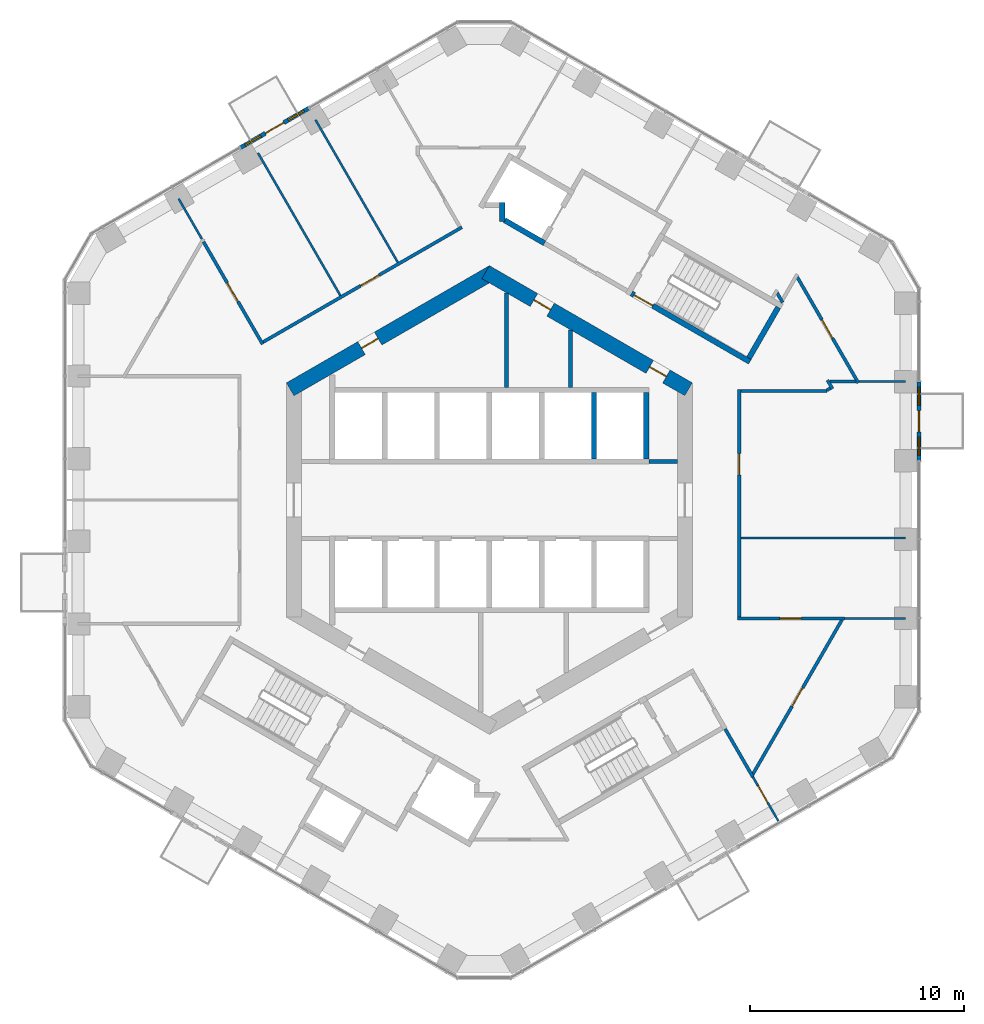
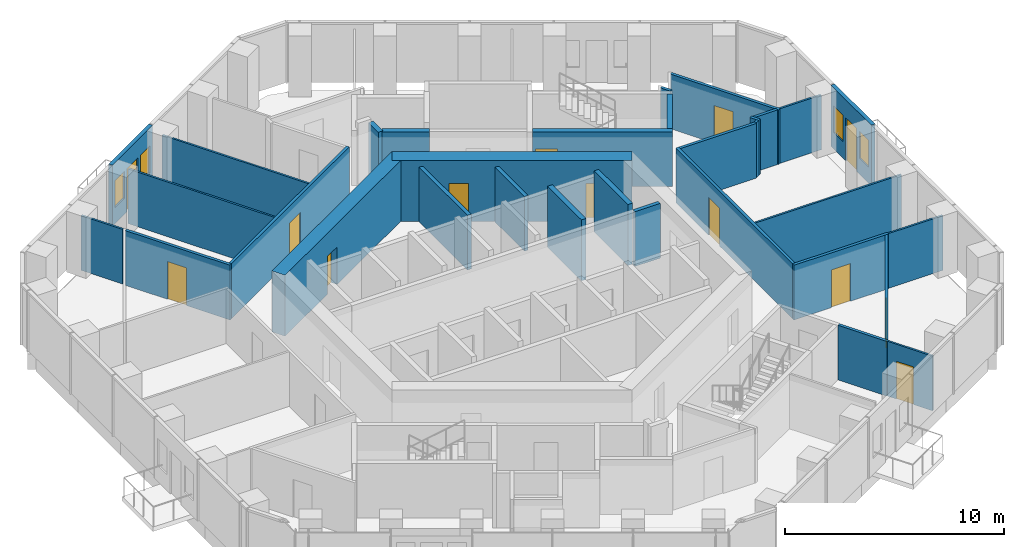
# One storey, part 15 of 20: 32 walls, 13 doors, 4 windows, 17 openings.
"""IFC4 building model written with IfcOpenShell, lengths in metres."""

from ifc_helpers import new_model, si_unit, direction, frame, frame_2d, origin, place, context, subcontext, project, spatial, rectangle, extrude, material, layer, layer_set, type_object, element, fill, save


model = new_model("IFC4")

# Units and contexts
model_context = context("Model", 3, precision=1e-05, world=origin(), true_north=direction((0.0, 1.0)))
body_context = subcontext(model_context, "Body", "Model", "MODEL_VIEW")
ifc_project = project(units=[si_unit("LENGTHUNIT", "METRE"), si_unit("AREAUNIT", "SQUARE_METRE"), si_unit("VOLUMEUNIT", "CUBIC_METRE"), si_unit("PLANEANGLEUNIT", "RADIAN"), si_unit("MASSUNIT", "GRAM", prefix="KILO")], contexts=[model_context])

# Site, building, storey
site_placement = place(None, origin())
site = spatial("IfcSite", under=ifc_project, at=site_placement, CompositionType="ELEMENT")
building_placement = place(site_placement, origin())
building = spatial("IfcBuilding", under=site, at=building_placement, Name="Ayvan Gate Tower", CompositionType="ELEMENT")
storey_placement = place(building_placement, frame((0.0, 0.0, 96.699951171875)))
storey = spatial("IfcBuildingStorey", under=building, at=storey_placement, Name="L25", CompositionType="ELEMENT", Elevation=96.699951171875)

# Wall, openings, door, windows
ifc_material_1 = material(Name="Insulated metal panel wall")
ifc_layer_1 = layer(ifc_material_1, 0.199951171875)
ifc_layer_set_1 = layer_set([ifc_layer_1], Name="Insulated metal panel wall")
wall_type_1 = type_object("IfcWallType", Name="Balcony door wall 200", PredefinedType="SOLIDWALL", material=ifc_layer_set_1)
wall_1_placement = place(storey_placement, frame((-8.4599609375, 18.33740234375, 0.0), z_axis=(0.0, 0.0, 1.0), x_axis=(-0.866020046725, -0.500009278584, 0.0)))
wall_1 = element("IfcWall", 1, at=wall_1_placement, inside=storey, type_object=wall_type_1, Name="EW:L25:2:2", PredefinedType="SOLIDWALL", context=body_context, shape_type="SweptSolid", body=[
    extrude(rectangle(XDim=3.68408203125, YDim=0.199951171875, at=frame_2d((1.842041015625, 0.0))), origin(), (0.0, 0.0, 1.0), 3.400146484375),
])
opening_1_placement = place(wall_1_placement, frame((1.342041015625, 0.0, 0.0)))
opening_1 = element("IfcOpeningElement", 2, at=opening_1_placement, cuts=wall_1, Name="Opening L25-D92", PredefinedType="OPENING", context=body_context, shape_type="SweptSolid", body=[
    extrude(rectangle(XDim=1.0, YDim=2.39990234375, at=frame_2d((0.5, 1.199951171875))), frame((0.0, 0.10986328125, 0.0), z_axis=(0.0, -1.0, 0.0), x_axis=(1.0, 0.0, 0.0)), (0.0, 0.0, 1.0), 0.219970703125),
])
opening_2_placement = place(wall_1_placement, frame((0.24609375, 0.0, 0.89990234375)))
opening_2 = element("IfcOpeningElement", 3, at=opening_2_placement, cuts=wall_1, Name="Opening W-B2", PredefinedType="OPENING", context=body_context, shape_type="SweptSolid", body=[
    extrude(rectangle(XDim=0.85009765625, YDim=1.5, at=frame_2d((0.425048828125, 0.75))), frame((0.0, 0.10986328125, 0.0), z_axis=(0.0, -1.0, 0.0), x_axis=(1.0, 0.0, 0.0)), (0.0, 0.0, 1.0), 0.219970703125),
])
opening_3_placement = place(wall_1_placement, frame((2.587890625, 0.0, 0.89990234375)))
opening_3 = element("IfcOpeningElement", 4, at=opening_3_placement, cuts=wall_1, Name="Opening W-B2", PredefinedType="OPENING", context=body_context, shape_type="SweptSolid", body=[
    extrude(rectangle(XDim=0.85009765625, YDim=1.5, at=frame_2d((0.425048828125, 0.75))), frame((0.0, 0.10986328125, 0.0), z_axis=(0.0, -1.0, 0.0), x_axis=(1.0, 0.0, 0.0)), (0.0, 0.0, 1.0), 0.219970703125),
])
ifc_material_2 = material(Name="Bronze anodised aluminium and clear glass", Category="aluminium")
door_type_1 = type_object("IfcDoorType", Name="Balcony door D-B", OperationType="SINGLE_SWING_RIGHT", PredefinedType="DOOR", material=ifc_material_2)
door_1_placement = place(opening_1_placement, origin())
door_1 = element("IfcDoor", 5, at=door_1_placement, inside=storey, type_object=door_type_1, Name="Balcony door BAL-L25-2", OperationType="SINGLE_SWING_RIGHT", OverallHeight=2.39990234375, OverallWidth=1.0, PredefinedType="DOOR", context=body_context, shape_type="SweptSolid", body=[
    extrude(rectangle(XDim=1.0, YDim=2.39990234375, at=frame_2d((0.5, 1.199951171875))), frame((0.0, 0.02490234375, 0.0), z_axis=(0.0, -1.0, 0.0), x_axis=(1.0, 0.0, 0.0)), (0.0, 0.0, 1.0), 0.050048828125),
])
fill(opening_1, door_1)
window_type = type_object("IfcWindowType", Name="Balcony side light W-B Z2", PartitioningType="SINGLE_PANEL", PredefinedType="WINDOW", material=ifc_material_2)
window_1_placement = place(opening_2_placement, origin())
window_1 = element("IfcWindow", 6, at=window_1_placement, inside=storey, type_object=window_type, Name="Balcony side light BAL-L25-2.1", OverallHeight=1.5, OverallWidth=0.85009765625, PartitioningType="SINGLE_PANEL", PredefinedType="WINDOW", context=body_context, shape_type="SweptSolid", body=[
    extrude(rectangle(XDim=0.85009765625, YDim=1.5, at=frame_2d((0.425048828125, 0.75))), frame((0.0, 0.030029296875, 0.0), z_axis=(0.0, -1.0, 0.0), x_axis=(1.0, 0.0, 0.0)), (0.0, 0.0, 1.0), 0.06005859375),
])
fill(opening_2, window_1)
window_2_placement = place(opening_3_placement, origin())
window_2 = element("IfcWindow", 7, at=window_2_placement, inside=storey, type_object=window_type, Name="Balcony side light BAL-L25-2.2", OverallHeight=1.5, OverallWidth=0.85009765625, PartitioningType="SINGLE_PANEL", PredefinedType="WINDOW", context=body_context, shape_type="SweptSolid", body=[
    extrude(rectangle(XDim=0.85009765625, YDim=1.5, at=frame_2d((0.425048828125, 0.75))), frame((0.0, 0.030029296875, 0.0), z_axis=(0.0, -1.0, 0.0), x_axis=(1.0, 0.0, 0.0)), (0.0, 0.0, 1.0), 0.06005859375),
])
fill(opening_3, window_2)

wall_2_placement = place(storey_placement, frame((20.110595703125, 1.841796875, 0.0), z_axis=(0.0, 0.0, 1.0), x_axis=(0.0, 1.0, 0.0)))
wall_2 = element("IfcWall", 8, at=wall_2_placement, inside=storey, type_object=wall_type_1, Name="EW:L25:0:3", PredefinedType="SOLIDWALL", context=body_context, shape_type="SweptSolid", body=[
    extrude(rectangle(XDim=3.68408203125, YDim=0.199951171875, at=frame_2d((1.842041015625, 0.0))), origin(), (0.0, 0.0, 1.0), 3.400146484375),
])
opening_4_placement = place(wall_2_placement, frame((1.342041015625, 0.0, 0.0)))
opening_4 = element("IfcOpeningElement", 9, at=opening_4_placement, cuts=wall_2, Name="Opening L25-D90", PredefinedType="OPENING", context=body_context, shape_type="SweptSolid", body=[
    extrude(rectangle(XDim=1.0, YDim=2.39990234375, at=frame_2d((0.5, 1.199951171875))), frame((0.0, 0.10986328125, 0.0), z_axis=(0.0, -1.0, 0.0), x_axis=(1.0, 0.0, 0.0)), (0.0, 0.0, 1.0), 0.219970703125),
])
opening_5_placement = place(wall_2_placement, frame((0.24609375, 0.0, 0.89990234375)))
opening_5 = element("IfcOpeningElement", 10, at=opening_5_placement, cuts=wall_2, Name="Opening W-B2", PredefinedType="OPENING", context=body_context, shape_type="SweptSolid", body=[
    extrude(rectangle(XDim=0.85009765625, YDim=1.5, at=frame_2d((0.425048828125, 0.75))), frame((0.0, 0.10986328125, 0.0), z_axis=(0.0, -1.0, 0.0), x_axis=(1.0, 0.0, 0.0)), (0.0, 0.0, 1.0), 0.219970703125),
])
opening_6_placement = place(wall_2_placement, frame((2.587890625, 0.0, 0.89990234375)))
opening_6 = element("IfcOpeningElement", 11, at=opening_6_placement, cuts=wall_2, Name="Opening W-B2", PredefinedType="OPENING", context=body_context, shape_type="SweptSolid", body=[
    extrude(rectangle(XDim=0.85009765625, YDim=1.5, at=frame_2d((0.425048828125, 0.75))), frame((0.0, 0.10986328125, 0.0), z_axis=(0.0, -1.0, 0.0), x_axis=(1.0, 0.0, 0.0)), (0.0, 0.0, 1.0), 0.219970703125),
])
door_2_placement = place(opening_4_placement, origin())
door_2 = element("IfcDoor", 12, at=door_2_placement, inside=storey, type_object=door_type_1, Name="Balcony door BAL-L25-0", OperationType="SINGLE_SWING_RIGHT", OverallHeight=2.39990234375, OverallWidth=1.0, PredefinedType="DOOR", context=body_context, shape_type="SweptSolid", body=[
    extrude(rectangle(XDim=1.0, YDim=2.39990234375, at=frame_2d((0.5, 1.199951171875))), frame((0.0, 0.02490234375, 0.0), z_axis=(0.0, -1.0, 0.0), x_axis=(1.0, 0.0, 0.0)), (0.0, 0.0, 1.0), 0.050048828125),
])
fill(opening_4, door_2)
window_3_placement = place(opening_5_placement, origin())
window_3 = element("IfcWindow", 13, at=window_3_placement, inside=storey, type_object=window_type, Name="Balcony side light BAL-L25-0.1", OverallHeight=1.5, OverallWidth=0.85009765625, PartitioningType="SINGLE_PANEL", PredefinedType="WINDOW", context=body_context, shape_type="SweptSolid", body=[
    extrude(rectangle(XDim=0.85009765625, YDim=1.5, at=frame_2d((0.425048828125, 0.75))), frame((0.0, 0.030029296875, 0.0), z_axis=(0.0, -1.0, 0.0), x_axis=(1.0, 0.0, 0.0)), (0.0, 0.0, 1.0), 0.06005859375),
])
fill(opening_5, window_3)
window_4_placement = place(opening_6_placement, origin())
window_4 = element("IfcWindow", 14, at=window_4_placement, inside=storey, type_object=window_type, Name="Balcony side light BAL-L25-0.2", OverallHeight=1.5, OverallWidth=0.85009765625, PartitioningType="SINGLE_PANEL", PredefinedType="WINDOW", context=body_context, shape_type="SweptSolid", body=[
    extrude(rectangle(XDim=0.85009765625, YDim=1.5, at=frame_2d((0.425048828125, 0.75))), frame((0.0, 0.030029296875, 0.0), z_axis=(0.0, -1.0, 0.0), x_axis=(1.0, 0.0, 0.0)), (0.0, 0.0, 1.0), 0.06005859375),
])
fill(opening_6, window_4)

# Wall, openings, doors
ifc_material_3 = material(Name="Concrete C70/85", Category="concrete")
ifc_layer_2 = layer(ifc_material_3, 0.699951171875)
ifc_layer_set_2 = layer_set([ifc_layer_2], Name="Concrete C70/85")
wall_type_2 = type_object("IfcWallType", Name="Core wall 700 C70/85", PredefinedType="SHEAR", material=ifc_layer_set_2)
wall_3_placement = place(storey_placement, frame((9.324951171875, 5.181640625, 0.0), z_axis=(0.0, 0.0, 1.0), x_axis=(-0.866023993627, 0.500002442456, 0.0)))
wall_3 = element("IfcWall", 15, at=wall_3_placement, inside=storey, type_object=wall_type_2, Name="CORE-L25-1", PredefinedType="SHEAR", context=body_context, shape_type="SweptSolid", body=[
    extrude(rectangle(XDim=10.9697265625, YDim=0.699951171875, at=frame_2d((5.48486328125, 0.0))), origin(), (0.0, 0.0, 1.0), 3.400146484375),
])
opening_7_placement = place(wall_3_placement, frame((7.460205078125, 0.0, 0.0)))
opening_7 = element("IfcOpeningElement", 16, at=opening_7_placement, cuts=wall_3, Name="Opening L25-D97", PredefinedType="OPENING", context=body_context, shape_type="SweptSolid", body=[
    extrude(rectangle(XDim=0.89990234375, YDim=2.10009765625, at=frame_2d((0.449951171875, 1.050048828125))), frame((0.0, 0.35986328125, 0.0), z_axis=(0.0, -1.0, 0.0), x_axis=(1.0, 0.0, 0.0)), (0.0, 0.0, 1.0), 0.719970703125),
])
opening_8_placement = place(wall_3_placement, frame((1.20068359375, 0.0, 0.0)))
opening_8 = element("IfcOpeningElement", 17, at=opening_8_placement, cuts=wall_3, Name="Opening L25-D98", PredefinedType="OPENING", context=body_context, shape_type="SweptSolid", body=[
    extrude(rectangle(XDim=0.89990234375, YDim=2.10009765625, at=frame_2d((0.449951171875, 1.050048828125))), frame((0.0, 0.35986328125, 0.0), z_axis=(0.0, -1.0, 0.0), x_axis=(1.0, 0.0, 0.0)), (0.0, 0.0, 1.0), 0.719970703125),
])
ifc_material_4 = material(Name="Timber door leaf", Category="wood")
door_type_2 = type_object("IfcDoorType", Name="DT-900", OperationType="NOTDEFINED", PredefinedType="DOOR", material=ifc_material_4)
door_3_placement = place(opening_7_placement, origin())
door_3 = element("IfcDoor", 18, at=door_3_placement, inside=storey, type_object=door_type_2, Name="CD-L25-97", OperationType="SINGLE_SWING_RIGHT", OverallHeight=2.10009765625, OverallWidth=0.89990234375, PredefinedType="DOOR", context=body_context, shape_type="SweptSolid", body=[
    extrude(rectangle(XDim=0.89990234375, YDim=2.10009765625, at=frame_2d((0.449951171875, 1.050048828125))), frame((0.0, 0.02490234375, 0.0), z_axis=(0.0, -1.0, 0.0), x_axis=(1.0, 0.0, 0.0)), (0.0, 0.0, 1.0), 0.050048828125),
])
fill(opening_7, door_3)
door_4_placement = place(opening_8_placement, origin())
door_4 = element("IfcDoor", 19, at=door_4_placement, inside=storey, type_object=door_type_2, Name="CD-L25-98", OperationType="SINGLE_SWING_LEFT", OverallHeight=2.10009765625, OverallWidth=0.89990234375, PredefinedType="DOOR", context=body_context, shape_type="SweptSolid", body=[
    extrude(rectangle(XDim=0.89990234375, YDim=2.10009765625, at=frame_2d((0.449951171875, 1.050048828125))), frame((0.0, 0.02490234375, 0.0), z_axis=(0.0, -1.0, 0.0), x_axis=(1.0, 0.0, 0.0)), (0.0, 0.0, 1.0), 0.050048828125),
])
fill(opening_8, door_4)

# Wall, opening, door
wall_4_placement = place(storey_placement, frame((0.175048828125, 10.66650390625, 0.0), z_axis=(0.0, 0.0, 1.0), x_axis=(-0.866023993627, -0.500002442456, 0.0)))
wall_4 = element("IfcWall", 20, at=wall_4_placement, inside=storey, type_object=wall_type_2, Name="CORE-L25-2", PredefinedType="SHEAR", context=body_context, shape_type="SweptSolid", body=[
    extrude(rectangle(XDim=10.9697265625, YDim=0.699951171875, at=frame_2d((5.48486328125, 0.0))), origin(), (0.0, 0.0, 1.0), 3.400146484375),
])
opening_9_placement = place(wall_4_placement, frame((6.2138671875, 0.0, 0.0)))
opening_9 = element("IfcOpeningElement", 21, at=opening_9_placement, cuts=wall_4, Name="Opening L25-D96", PredefinedType="OPENING", context=body_context, shape_type="SweptSolid", body=[
    extrude(rectangle(XDim=0.89990234375, YDim=2.10009765625, at=frame_2d((0.449951171875, 1.050048828125))), frame((0.0, 0.35986328125, 0.0), z_axis=(0.0, -1.0, 0.0), x_axis=(1.0, 0.0, 0.0)), (0.0, 0.0, 1.0), 0.719970703125),
])
door_5_placement = place(opening_9_placement, origin())
door_5 = element("IfcDoor", 22, at=door_5_placement, inside=storey, type_object=door_type_2, Name="CD-L25-96", OperationType="SINGLE_SWING_LEFT", OverallHeight=2.10009765625, OverallWidth=0.89990234375, PredefinedType="DOOR", context=body_context, shape_type="SweptSolid", body=[
    extrude(rectangle(XDim=0.89990234375, YDim=2.10009765625, at=frame_2d((0.449951171875, 1.050048828125))), frame((0.0, 0.02490234375, 0.0), z_axis=(0.0, -1.0, 0.0), x_axis=(1.0, 0.0, 0.0)), (0.0, 0.0, 1.0), 0.050048828125),
])
fill(opening_9, door_5)

ifc_material_5 = material(Name="Plasterboard on steel stud", Category="steel")
ifc_layer_3 = layer(ifc_material_5, 0.14990234375)
ifc_layer_set_3 = layer_set([ifc_layer_3], Name="Plasterboard on steel stud")
wall_type_3 = type_object("IfcWallType", Name="WT-CORR-150", PredefinedType="PARTITIONING", material=ifc_layer_set_3)
wall_5_placement = place(storey_placement, frame((-13.383056640625, 12.087646484375, 0.0), z_axis=(0.0, 0.0, 1.0), x_axis=(0.499996101646, -0.866027654488, 0.0)))
wall_5 = element("IfcWall", 23, at=wall_5_placement, inside=storey, type_object=wall_type_3, Name="IW-L25-008", PredefinedType="PARTITIONING", context=body_context, shape_type="SweptSolid", body=[
    extrude(rectangle(XDim=5.53466796875, YDim=0.14990234375, at=frame_2d((2.767333984375, 0.0))), origin(), (0.0, 0.0, 1.0), 3.050048828125),
])
opening_10_placement = place(wall_5_placement, frame((2.22998046875, 0.0, 0.0)))
opening_10 = element("IfcOpeningElement", 24, at=opening_10_placement, cuts=wall_5, Name="Opening L25-D31", PredefinedType="OPENING", context=body_context, shape_type="SweptSolid", body=[
    extrude(rectangle(XDim=1.0, YDim=2.10009765625, at=frame_2d((0.5, 1.050048828125))), frame((0.0, 0.0849609375, 0.0), z_axis=(0.0, -1.0, 0.0), x_axis=(1.0, 0.0, 0.0)), (0.0, 0.0, 1.0), 0.169921875),
])
door_type_3 = type_object("IfcDoorType", Name="DT-1000", OperationType="NOTDEFINED", PredefinedType="DOOR", material=ifc_material_4)
door_6_placement = place(opening_10_placement, origin())
door_6 = element("IfcDoor", 25, at=door_6_placement, inside=storey, type_object=door_type_3, Name="ID-L25-031", OperationType="SINGLE_SWING_RIGHT", OverallHeight=2.10009765625, OverallWidth=1.0, PredefinedType="DOOR", context=body_context, shape_type="SweptSolid", body=[
    extrude(rectangle(XDim=1.0, YDim=2.10009765625, at=frame_2d((0.5, 1.050048828125))), frame((0.0, 0.02490234375, 0.0), z_axis=(0.0, -1.0, 0.0), x_axis=(1.0, 0.0, 0.0)), (0.0, 0.0, 1.0), 0.050048828125),
])
fill(opening_10, door_6)

wall_6_placement = place(storey_placement, frame((-10.58837890625, 7.396728515625, 0.0), z_axis=(0.0, 0.0, 1.0), x_axis=(0.866026257053, 0.499998522093, 0.0)))
wall_6 = element("IfcWall", 26, at=wall_6_placement, inside=storey, type_object=wall_type_3, Name="IW-L25-013", PredefinedType="PARTITIONING", context=body_context, shape_type="SweptSolid", body=[
    extrude(rectangle(XDim=10.74267578125, YDim=0.14990234375, at=frame_2d((5.371337890625, 0.0))), origin(), (0.0, 0.0, 1.0), 3.050048828125),
])
opening_11_placement = place(wall_6_placement, frame((5.26708984375, 0.0, 0.0)))
opening_11 = element("IfcOpeningElement", 27, at=opening_11_placement, cuts=wall_6, Name="Opening L25-D30", PredefinedType="OPENING", context=body_context, shape_type="SweptSolid", body=[
    extrude(rectangle(XDim=1.0, YDim=2.10009765625, at=frame_2d((0.5, 1.050048828125))), frame((0.0, 0.0849609375, 0.0), z_axis=(0.0, -1.0, 0.0), x_axis=(1.0, 0.0, 0.0)), (0.0, 0.0, 1.0), 0.169921875),
])
door_7_placement = place(opening_11_placement, origin())
door_7 = element("IfcDoor", 28, at=door_7_placement, inside=storey, type_object=door_type_3, Name="ID-L25-030", OperationType="SINGLE_SWING_LEFT", OverallHeight=2.10009765625, OverallWidth=1.0, PredefinedType="DOOR", context=body_context, shape_type="SweptSolid", body=[
    extrude(rectangle(XDim=1.0, YDim=2.10009765625, at=frame_2d((0.5, 1.050048828125))), frame((0.0, 0.02490234375, 0.0), z_axis=(0.0, -1.0, 0.0), x_axis=(1.0, 0.0, 0.0)), (0.0, 0.0, 1.0), 0.050048828125),
])
fill(opening_11, door_7)

wall_7_placement = place(storey_placement, frame((11.625, -5.54638671875, 0.0), z_axis=(0.0, 0.0, 1.0), x_axis=(1.0, 0.0, 0.0)))
wall_7 = element("IfcWall", 29, at=wall_7_placement, inside=storey, type_object=wall_type_3, Name="IW-L25-089", PredefinedType="PARTITIONING", context=body_context, shape_type="SweptSolid", body=[
    extrude(rectangle(XDim=4.991943359375, YDim=0.14990234375, at=frame_2d((2.49609375, 0.0))), origin(), (0.0, 0.0, 1.0), 3.050048828125),
])
opening_12_placement = place(wall_7_placement, frame((1.978515625, 0.0, 0.0)))
opening_12 = element("IfcOpeningElement", 30, at=opening_12_placement, cuts=wall_7, Name="Opening L25-D17", PredefinedType="OPENING", context=body_context, shape_type="SweptSolid", body=[
    extrude(rectangle(XDim=1.0, YDim=2.10009765625, at=frame_2d((0.5, 1.050048828125))), frame((0.0, 0.0849609375, 0.0), z_axis=(0.0, -1.0, 0.0), x_axis=(1.0, 0.0, 0.0)), (0.0, 0.0, 1.0), 0.169921875),
])
door_8_placement = place(opening_12_placement, origin())
door_8 = element("IfcDoor", 31, at=door_8_placement, inside=storey, type_object=door_type_3, Name="ID-L25-017", OperationType="SINGLE_SWING_RIGHT", OverallHeight=2.10009765625, OverallWidth=1.0, PredefinedType="DOOR", context=body_context, shape_type="SweptSolid", body=[
    extrude(rectangle(XDim=1.0, YDim=2.10009765625, at=frame_2d((0.5, 1.050048828125))), frame((0.0, 0.02490234375, 0.0), z_axis=(0.0, -1.0, 0.0), x_axis=(1.0, 0.0, 0.0)), (0.0, 0.0, 1.0), 0.050048828125),
])
fill(opening_12, door_8)

wall_8_placement = place(storey_placement, frame((11.699951171875, -5.47119140625, 0.0), z_axis=(0.0, 0.0, 1.0), x_axis=(0.0, 1.0, 0.0)))
wall_8 = element("IfcWall", 32, at=wall_8_placement, inside=storey, type_object=wall_type_3, Name="IW-L25-090", PredefinedType="PARTITIONING", context=body_context, shape_type="SweptSolid", body=[
    extrude(rectangle(XDim=10.642578125, YDim=0.14990234375, at=frame_2d((5.3212890625, 0.0))), origin(), (0.0, 0.0, 1.0), 3.050048828125),
])
opening_13_placement = place(wall_8_placement, frame((6.64697265625, 0.0, 0.0)))
opening_13 = element("IfcOpeningElement", 33, at=opening_13_placement, cuts=wall_8, Name="Opening L25-D18", PredefinedType="OPENING", context=body_context, shape_type="SweptSolid", body=[
    extrude(rectangle(XDim=1.0, YDim=2.10009765625, at=frame_2d((0.5, 1.050048828125))), frame((0.0, 0.0849609375, 0.0), z_axis=(0.0, -1.0, 0.0), x_axis=(1.0, 0.0, 0.0)), (0.0, 0.0, 1.0), 0.169921875),
])
door_9_placement = place(opening_13_placement, origin())
door_9 = element("IfcDoor", 34, at=door_9_placement, inside=storey, type_object=door_type_3, Name="ID-L25-018", OperationType="SINGLE_SWING_LEFT", OverallHeight=2.10009765625, OverallWidth=1.0, PredefinedType="DOOR", context=body_context, shape_type="SweptSolid", body=[
    extrude(rectangle(XDim=1.0, YDim=2.10009765625, at=frame_2d((0.5, 1.050048828125))), frame((0.0, 0.02490234375, 0.0), z_axis=(0.0, -1.0, 0.0), x_axis=(1.0, 0.0, 0.0)), (0.0, 0.0, 1.0), 0.050048828125),
])
fill(opening_13, door_9)

# Walls
wall_9_placement = place(storey_placement, frame((12.33447265625, -12.9638671875, 0.0), z_axis=(0.0, 0.0, 1.0), x_axis=(-0.499974977939, 0.866039849796, 0.0)))
element("IfcWall", 35, at=wall_9_placement, inside=storey, type_object=wall_type_3, Name="IW-L25-093", PredefinedType="PARTITIONING", context=body_context, shape_type="SweptSolid", body=[
    extrude(rectangle(XDim=2.594482421875, YDim=0.14990234375, at=frame_2d((1.29736328125, 0.0))), origin(), (0.0, 0.0, 1.0), 3.050048828125),
])
wall_10_placement = place(storey_placement, frame((13.46728515625, 9.696044921875, 0.0), z_axis=(0.0, 0.0, 1.0), x_axis=(0.499980071345, -0.866036909293, 0.0)))
element("IfcWall", 36, at=wall_10_placement, inside=storey, type_object=wall_type_3, Name="IW-L25-096", PredefinedType="PARTITIONING", context=body_context, shape_type="SweptSolid", body=[
    extrude(rectangle(XDim=0.51953125, YDim=0.14990234375, at=frame_2d((0.259765625, 0.0))), origin(), (0.0, 0.0, 1.0), 3.050048828125),
])

# Wall, opening, door
wall_11_placement = place(storey_placement, frame((14.412841796875, 10.433837890625, 0.0), z_axis=(0.0, 0.0, 1.0), x_axis=(0.49999591573, -0.866027761826, 0.0)))
wall_11 = element("IfcWall", 37, at=wall_11_placement, inside=storey, type_object=wall_type_3, Name="IW-L25-099", PredefinedType="PARTITIONING", context=body_context, shape_type="SweptSolid", body=[
    extrude(rectangle(XDim=5.71875, YDim=0.14990234375, at=frame_2d((2.859375, 0.0))), origin(), (0.0, 0.0, 1.0), 3.050048828125),
])
opening_14_placement = place(wall_11_placement, frame((2.304443359375, 0.0, 0.0)))
opening_14 = element("IfcOpeningElement", 38, at=opening_14_placement, cuts=wall_11, Name="Opening L25-D19", PredefinedType="OPENING", context=body_context, shape_type="SweptSolid", body=[
    extrude(rectangle(XDim=1.0, YDim=2.10009765625, at=frame_2d((0.5, 1.050048828125))), frame((0.0, 0.0849609375, 0.0), z_axis=(0.0, -1.0, 0.0), x_axis=(1.0, 0.0, 0.0)), (0.0, 0.0, 1.0), 0.169921875),
])
door_10_placement = place(opening_14_placement, origin())
door_10 = element("IfcDoor", 39, at=door_10_placement, inside=storey, type_object=door_type_3, Name="ID-L25-019", OperationType="SINGLE_SWING_RIGHT", OverallHeight=2.10009765625, OverallWidth=1.0, PredefinedType="DOOR", context=body_context, shape_type="SweptSolid", body=[
    extrude(rectangle(XDim=1.0, YDim=2.10009765625, at=frame_2d((0.5, 1.050048828125))), frame((0.0, 0.02490234375, 0.0), z_axis=(0.0, -1.0, 0.0), x_axis=(1.0, 0.0, 0.0)), (0.0, 0.0, 1.0), 0.050048828125),
])
fill(opening_14, door_10)

# Walls
wall_12_placement = place(storey_placement, frame((15.802001953125, 5.09619140625, 0.0), z_axis=(0.0, 0.0, 1.0), x_axis=(-1.0, 0.0, 0.0)))
element("IfcWall", 40, at=wall_12_placement, inside=storey, type_object=wall_type_3, Name="IW-L25-100", PredefinedType="PARTITIONING", context=body_context, shape_type="SweptSolid", body=[
    extrude(rectangle(XDim=4.027099609375, YDim=0.14990234375, at=frame_2d((2.013671875, 0.0))), origin(), (0.0, 0.0, 1.0), 3.050048828125),
])
wall_13_placement = place(storey_placement, frame((15.82568359375, 5.611328125, 0.0), z_axis=(0.0, 0.0, 1.0), x_axis=(0.499647745683, -0.866228682412, 0.0)))
element("IfcWall", 41, at=wall_13_placement, inside=storey, type_object=wall_type_3, Name="IW-L25-101", PredefinedType="PARTITIONING", context=body_context, shape_type="SweptSolid", body=[
    extrude(rectangle(XDim=0.471435546875, YDim=0.14990234375, at=frame_2d((0.23583984375, 0.0))), origin(), (0.0, 0.0, 1.0), 3.050048828125),
])
wall_14_placement = place(storey_placement, frame((15.958984375, 5.230224609375, 0.0), z_axis=(0.0, 0.0, 1.0), x_axis=(-0.865974735705, -0.50008774942, 0.0)))
element("IfcWall", 42, at=wall_14_placement, inside=storey, type_object=wall_type_3, Name="IW-L25-102", PredefinedType="PARTITIONING", context=body_context, shape_type="SweptSolid", body=[
    extrude(rectangle(XDim=0.19287109375, YDim=0.14990234375, at=frame_2d((0.096435546875, 0.0))), origin(), (0.0, 0.0, 1.0), 3.050048828125),
])

# Wall, opening, door
wall_15_placement = place(storey_placement, frame((16.50439453125, -5.611328125, 0.0), z_axis=(0.0, 0.0, 1.0), x_axis=(-0.499992746786, -0.866029591389, 0.0)))
wall_15 = element("IfcWall", 43, at=wall_15_placement, inside=storey, type_object=wall_type_3, Name="IW-L25-103", PredefinedType="PARTITIONING", context=body_context, shape_type="SweptSolid", body=[
    extrude(rectangle(XDim=8.33984375, YDim=0.14990234375, at=frame_2d((4.169921875, 0.0))), origin(), (0.0, 0.0, 1.0), 3.050048828125),
])
opening_15_placement = place(wall_15_placement, frame((3.669921875, 0.0, 0.0)))
opening_15 = element("IfcOpeningElement", 44, at=opening_15_placement, cuts=wall_15, Name="Opening L25-D27", PredefinedType="OPENING", context=body_context, shape_type="SweptSolid", body=[
    extrude(rectangle(XDim=1.0, YDim=2.10009765625, at=frame_2d((0.5, 1.050048828125))), frame((0.0, 0.0849609375, 0.0), z_axis=(0.0, -1.0, 0.0), x_axis=(1.0, 0.0, 0.0)), (0.0, 0.0, 1.0), 0.169921875),
])
door_11_placement = place(opening_15_placement, origin())
door_11 = element("IfcDoor", 45, at=door_11_placement, inside=storey, type_object=door_type_3, Name="ID-L25-027", OperationType="SINGLE_SWING_RIGHT", OverallHeight=2.10009765625, OverallWidth=1.0, PredefinedType="DOOR", context=body_context, shape_type="SweptSolid", body=[
    extrude(rectangle(XDim=1.0, YDim=2.10009765625, at=frame_2d((0.5, 1.050048828125))), frame((0.0, 0.02490234375, 0.0), z_axis=(0.0, -1.0, 0.0), x_axis=(1.0, 0.0, 0.0)), (0.0, 0.0, 1.0), 0.050048828125),
])
fill(opening_15, door_11)

# Walls
wall_16_placement = place(storey_placement, frame((17.15966796875, 5.54638671875, 0.0), z_axis=(0.0, 0.0, 1.0), x_axis=(-1.0, 0.0, 0.0)))
element("IfcWall", 46, at=wall_16_placement, inside=storey, type_object=wall_type_3, Name="IW-L25-105", PredefinedType="PARTITIONING", context=body_context, shape_type="SweptSolid", body=[
    extrude(rectangle(XDim=1.2216796875, YDim=0.14990234375, at=frame_2d((0.61083984375, 0.0))), origin(), (0.0, 0.0, 1.0), 3.050048828125),
])
ifc_layer_4 = layer(ifc_material_5, 0.10009765625)
ifc_layer_set_4 = layer_set([ifc_layer_4], Name="Plasterboard on steel stud")
wall_type_4 = type_object("IfcWallType", Name="WT-PART-100", PredefinedType="PARTITIONING", material=ifc_layer_set_4)
wall_17_placement = place(storey_placement, frame((-14.5458984375, 14.101806640625, 0.0), z_axis=(0.0, 0.0, 1.0), x_axis=(0.500000893942, -0.866024887666, 0.0)))
element("IfcWall", 47, at=wall_17_placement, inside=storey, type_object=wall_type_4, Name="IW-L25-004", PredefinedType="PARTITIONING", context=body_context, shape_type="SweptSolid", body=[
    extrude(rectangle(XDim=2.17578125, YDim=0.10009765625, at=frame_2d((1.087890625, 0.0))), origin(), (0.0, 0.0, 1.0), 3.050048828125),
])
for number, where, z_axis, x_axis, name in (
    (48, (-6.976318359375, 9.56884765625, 0.0), (0.0, 0.0, 1.0), (-0.499997453958, 0.866026873738, 0.0), "IW-L25-025"),
    (49, (-4.286376953125, 11.121826171875, 0.0), (0.0, 0.0, 1.0), (-0.499997453958, 0.866026873738, 0.0), "IW-L25-036"),
):
    element("IfcWall", number, at=place(storey_placement, frame(where, z_axis=z_axis, x_axis=x_axis)), inside=storey, type_object=wall_type_4, Name=name, PredefinedType="PARTITIONING", context=body_context, shape_type="SweptSolid", body=[
        extrude(rectangle(XDim=7.71044921875, YDim=0.10009765625, at=frame_2d((3.855224609375, 0.0))), origin(), (0.0, 0.0, 1.0), 3.050048828125),
    ])
wall_18_placement = place(storey_placement, frame((11.77490234375, -1.77490234375, 0.0), z_axis=(0.0, 0.0, 1.0), x_axis=(1.0, 0.0, 0.0)))
element("IfcWall", 50, at=wall_18_placement, inside=storey, type_object=wall_type_4, Name="IW-L25-091", PredefinedType="PARTITIONING", context=body_context, shape_type="SweptSolid", body=[
    extrude(rectangle(XDim=7.710693359375, YDim=0.10009765625, at=frame_2d((3.85546875, 0.0))), origin(), (0.0, 0.0, 1.0), 3.050048828125),
])

# Wall, opening, door
wall_19_placement = place(storey_placement, frame((13.52197265625, -15.0205078125, 0.0), z_axis=(0.0, 0.0, 1.0), x_axis=(-0.500030943131, 0.866007538022, 0.0)))
wall_19 = element("IfcWall", 51, at=wall_19_placement, inside=storey, type_object=wall_type_4, Name="IW-L25-095", PredefinedType="PARTITIONING", context=body_context, shape_type="SweptSolid", body=[
    extrude(rectangle(XDim=2.374755859375, YDim=0.10009765625, at=frame_2d((1.1875, 0.0))), origin(), (0.0, 0.0, 1.0), 3.050048828125),
])
opening_16_placement = place(wall_19_placement, frame((0.998046875, 0.0, 0.0)))
opening_16 = element("IfcOpeningElement", 52, at=opening_16_placement, cuts=wall_19, Name="Opening L25-D28", PredefinedType="OPENING", context=body_context, shape_type="SweptSolid", body=[
    extrude(rectangle(XDim=0.89990234375, YDim=2.10009765625, at=frame_2d((0.449951171875, 1.050048828125))), frame((0.0, 0.06005859375, 0.0), z_axis=(0.0, -1.0, 0.0), x_axis=(1.0, 0.0, 0.0)), (0.0, 0.0, 1.0), 0.1201171875),
])
door_12_placement = place(opening_16_placement, origin())
door_12 = element("IfcDoor", 53, at=door_12_placement, inside=storey, type_object=door_type_2, Name="ID-L25-028", OperationType="SINGLE_SWING_LEFT", OverallHeight=2.10009765625, OverallWidth=0.89990234375, PredefinedType="DOOR", context=body_context, shape_type="SweptSolid", body=[
    extrude(rectangle(XDim=0.89990234375, YDim=2.10009765625, at=frame_2d((0.449951171875, 1.050048828125))), frame((0.0, 0.02490234375, 0.0), z_axis=(0.0, -1.0, 0.0), x_axis=(1.0, 0.0, 0.0)), (0.0, 0.0, 1.0), 0.050048828125),
])
fill(opening_16, door_12)

# Walls
wall_20_placement = place(storey_placement, frame((17.3095703125, 5.54638671875, 0.0), z_axis=(0.0, 0.0, 1.0), x_axis=(1.0, 0.0, 0.0)))
element("IfcWall", 54, at=wall_20_placement, inside=storey, type_object=wall_type_4, Name="IW-L25-104", PredefinedType="PARTITIONING", context=body_context, shape_type="SweptSolid", body=[
    extrude(rectangle(XDim=2.176025390625, YDim=0.10009765625, at=frame_2d((1.087890625, 0.0))), origin(), (0.0, 0.0, 1.0), 3.050048828125),
])
wall_21_placement = place(storey_placement, frame((19.485595703125, -5.54638671875, 0.0), z_axis=(0.0, 0.0, 1.0), x_axis=(-1.0, 0.0, 0.0)))
element("IfcWall", 55, at=wall_21_placement, inside=storey, type_object=wall_type_4, Name="IW-L25-106", PredefinedType="PARTITIONING", context=body_context, shape_type="SweptSolid", body=[
    extrude(rectangle(XDim=2.86865234375, YDim=0.10009765625, at=frame_2d((1.434326171875, 0.0))), origin(), (0.0, 0.0, 1.0), 3.050048828125),
])
ifc_layer_5 = layer(ifc_material_5, 0.199951171875)
ifc_layer_set_5 = layer_set([ifc_layer_5], Name="Plasterboard on steel stud")
wall_type_5 = type_object("IfcWallType", Name="WT-RATED-200", PredefinedType="PARTITIONING", material=ifc_layer_set_5)
wall_22_placement = place(storey_placement, frame((0.800048828125, 9.699462890625, 0.0), z_axis=(0.0, 0.0, 1.0), x_axis=(0.0, -1.0, 0.0)))
element("IfcWall", 56, at=wall_22_placement, inside=storey, type_object=wall_type_5, Name="IW-L25-056", PredefinedType="PARTITIONING", context=body_context, shape_type="SweptSolid", body=[
    extrude(rectangle(XDim=4.424560546875, YDim=0.199951171875, at=frame_2d((2.21240234375, 0.0))), origin(), (0.0, 0.0, 1.0), 3.050048828125),
])
wall_23_placement = place(storey_placement, frame((3.800048828125, 7.96728515625, 0.0), z_axis=(0.0, 0.0, 1.0), x_axis=(0.0, -1.0, 0.0)))
element("IfcWall", 57, at=wall_23_placement, inside=storey, type_object=wall_type_5, Name="IW-L25-069", PredefinedType="PARTITIONING", context=body_context, shape_type="SweptSolid", body=[
    extrude(rectangle(XDim=2.6923828125, YDim=0.199951171875, at=frame_2d((1.34619140625, 0.0))), origin(), (0.0, 0.0, 1.0), 3.050048828125),
])
wall_24_placement = place(storey_placement, frame((7.474853515625, 1.800048828125, 0.0), z_axis=(0.0, 0.0, 1.0), x_axis=(1.0, 0.0, 0.0)))
element("IfcWall", 58, at=wall_24_placement, inside=storey, type_object=wall_type_5, Name="IW-L25-080", PredefinedType="PARTITIONING", context=body_context, shape_type="SweptSolid", body=[
    extrude(rectangle(XDim=1.3251953125, YDim=0.199951171875, at=frame_2d((0.66259765625, 0.0))), origin(), (0.0, 0.0, 1.0), 3.050048828125),
])
ifc_material_6 = material(Name="Concrete C50/60", Category="concrete")
ifc_layer_6 = layer(ifc_material_6, 0.25)
ifc_layer_set_6 = layer_set([ifc_layer_6], Name="Concrete C50/60")
wall_type_6 = type_object("IfcWallType", Name="WT-RC-250", PredefinedType="SHEAR", material=ifc_layer_set_6)
wall_25_placement = place(storey_placement, frame((0.60009765625, 13.03857421875, 0.0), z_axis=(0.0, 0.0, 1.0), x_axis=(0.0, 1.0, 0.0)))
element("IfcWall", 59, at=wall_25_placement, inside=storey, type_object=wall_type_6, Name="IW-L25-054", PredefinedType="SHEAR", context=body_context, shape_type="SweptSolid", body=[
    extrude(rectangle(XDim=0.896484375, YDim=0.25, at=frame_2d((0.4482421875, 0.0))), origin(), (0.0, 0.0, 1.0), 3.050048828125),
])
wall_26_placement = place(storey_placement, frame((2.580810546875, 12.02001953125, 0.0), z_axis=(0.0, 0.0, 1.0), x_axis=(-0.86603892542, 0.499976579108, 0.0)))
element("IfcWall", 60, at=wall_26_placement, inside=storey, type_object=wall_type_6, Name="IW-L25-062", PredefinedType="SHEAR", context=body_context, shape_type="SweptSolid", body=[
    extrude(rectangle(XDim=2.162109375, YDim=0.25, at=frame_2d((1.0810546875, 0.0))), origin(), (0.0, 0.0, 1.0), 3.050048828125),
])
for number, where, z_axis, x_axis, name in (
    (61, (4.89990234375, 5.02490234375, 0.0), (0.0, 0.0, 1.0), (0.0, -1.0, 0.0), "IW-L25-073"),
    (62, (7.35009765625, 5.02490234375, 0.0), (0.0, 0.0, 1.0), (0.0, -1.0, 0.0), "IW-L25-082"),
):
    element("IfcWall", number, at=place(storey_placement, frame(where, z_axis=z_axis, x_axis=x_axis)), inside=storey, type_object=wall_type_6, Name=name, PredefinedType="SHEAR", context=body_context, shape_type="SweptSolid", body=[
        extrude(rectangle(XDim=3.099853515625, YDim=0.25, at=frame_2d((1.5498046875, 0.0))), origin(), (0.0, 0.0, 1.0), 3.400146484375),
    ])

# Wall, opening, door
wall_27_placement = place(storey_placement, frame((12.193603515625, 6.469970703125, 0.0), z_axis=(0.0, 0.0, 1.0), x_axis=(-0.866025499775, 0.499999833739, 0.0)))
wall_27 = element("IfcWall", 63, at=wall_27_placement, inside=storey, type_object=wall_type_6, Name="IW-L25-092", PredefinedType="SHEAR", context=body_context, shape_type="SweptSolid", body=[
    extrude(rectangle(XDim=6.39990234375, YDim=0.25, at=frame_2d((3.199951171875, 0.0))), origin(), (0.0, 0.0, 1.0), 3.050048828125),
])
opening_17_placement = place(wall_27_placement, frame((5.25, 0.0, 0.0)))
opening_17 = element("IfcOpeningElement", 64, at=opening_17_placement, cuts=wall_27, Name="Opening L25-D06", PredefinedType="OPENING", context=body_context, shape_type="SweptSolid", body=[
    extrude(rectangle(XDim=1.0, YDim=2.10009765625, at=frame_2d((0.5, 1.050048828125))), frame((0.0, 0.135009765625, 0.0), z_axis=(0.0, -1.0, 0.0), x_axis=(1.0, 0.0, 0.0)), (0.0, 0.0, 1.0), 0.27001953125),
])
door_13_placement = place(opening_17_placement, origin())
door_13 = element("IfcDoor", 65, at=door_13_placement, inside=storey, type_object=door_type_3, Name="ID-L25-006", OperationType="SINGLE_SWING_LEFT", OverallHeight=2.10009765625, OverallWidth=1.0, PredefinedType="DOOR", context=body_context, shape_type="SweptSolid", body=[
    extrude(rectangle(XDim=1.0, YDim=2.10009765625, at=frame_2d((0.5, 1.050048828125))), frame((0.0, 0.02490234375, 0.0), z_axis=(0.0, -1.0, 0.0), x_axis=(1.0, 0.0, 0.0)), (0.0, 0.0, 1.0), 0.050048828125),
])
fill(opening_17, door_13)

# Wall
wall_28_placement = place(storey_placement, frame((13.52294921875, 9.022216796875, 0.0), z_axis=(0.0, 0.0, 1.0), x_axis=(-0.500034990121, -0.866005201286, 0.0)))
element("IfcWall", 66, at=wall_28_placement, inside=storey, type_object=wall_type_6, Name="IW-L25-097", PredefinedType="SHEAR", context=body_context, shape_type="SweptSolid", body=[
    extrude(rectangle(XDim=2.749755859375, YDim=0.25, at=frame_2d((1.375, 0.0))), origin(), (0.0, 0.0, 1.0), 3.050048828125),
])

save(model, "model.ifc")
